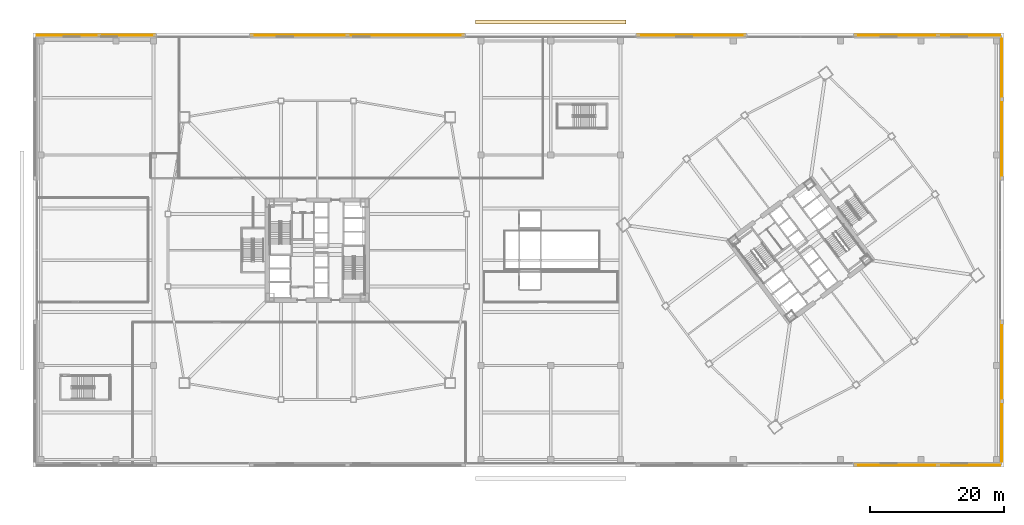
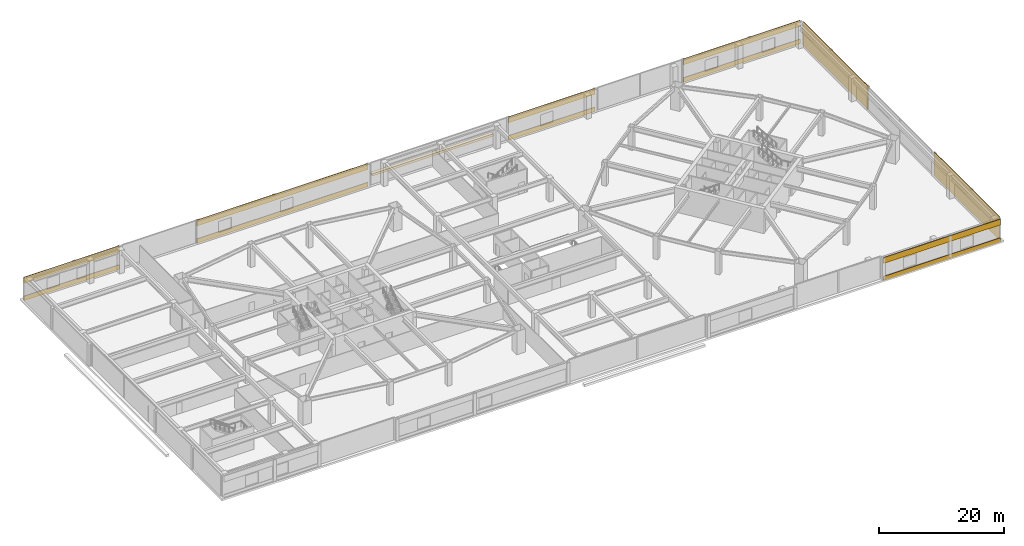
# One storey, part 44 of 44: 13 coverings.
"""IFC4 building model written with IfcOpenShell, lengths in metres."""

from ifc_helpers import new_model, si_unit, direction, frame, origin, origin_2d, place, context, subcontext, project, spatial, polyline, rectangle, outline, extrude, material, layer, layer_set, type_object, element, save


model = new_model("IFC4")

# Units and contexts
model_context = context("Model", 3, precision=1e-05, world=origin(), true_north=direction((0.0, 1.0)))
body_context = subcontext(model_context, "Body", "Model", "MODEL_VIEW")
ifc_project = project(units=[si_unit("LENGTHUNIT", "METRE"), si_unit("AREAUNIT", "SQUARE_METRE"), si_unit("VOLUMEUNIT", "CUBIC_METRE"), si_unit("PLANEANGLEUNIT", "RADIAN"), si_unit("MASSUNIT", "GRAM", prefix="KILO")], contexts=[model_context])

# Site, building, storey
site_placement = place(None, origin())
site = spatial("IfcSite", under=ifc_project, at=site_placement, CompositionType="ELEMENT")
building_placement = place(site_placement, origin())
building = spatial("IfcBuilding", under=site, at=building_placement, Name="Tashvorn Skyway Center", CompositionType="ELEMENT")
storey_placement = place(building_placement, frame((0.0, 0.0, 5.39990234375)))
storey = spatial("IfcBuildingStorey", under=building, at=storey_placement, Name="L01", CompositionType="ELEMENT", Elevation=5.39990234375)

# Coverings
ifc_material = material(Name="Precast concrete C40/50", Category="concrete")
ifc_layer = layer(ifc_material, 0.35009765625)
ifc_layer_set = layer_set([ifc_layer], Name="Precast concrete C40/50")
covering_type = type_object("IfcCoveringType", Name="COV-STONE-TRIM", PredefinedType="CLADDING", material=ifc_layer_set)
covering_1_placement = place(storey_placement, frame((9.0, 64.0400390625, 0.000244140625), z_axis=(0.0, 0.0, 1.0), x_axis=(1.0, 0.0, 0.0)))
element("IfcCovering", 1, at=covering_1_placement, inside=storey, type_object=covering_type, Name="L01 Limestone Sill Course N-W1", PredefinedType="CLADDING", context=body_context, shape_type="SweptSolid", body=[
    extrude(rectangle(XDim=17.60009765625, YDim=0.139892578125, at=origin_2d()), origin(), (0.0, 0.0, 1.0), 0.8798828125),
])
covering_2_placement = place(storey_placement, frame((9.0, 64.0400390625, 3.400390625), z_axis=(0.0, 0.0, 1.0), x_axis=(1.0, 0.0, 0.0)))
element("IfcCovering", 2, at=covering_2_placement, inside=storey, type_object=covering_type, Name="L01 Limestone Spandrel Course N-W1", PredefinedType="CLADDING", context=body_context, shape_type="SweptSolid", body=[
    extrude(rectangle(XDim=17.60009765625, YDim=0.139892578125, at=origin_2d()), origin(), (0.0, 0.0, 1.0), 1.139892578125),
])
covering_3_placement = place(storey_placement, frame((48.0, 64.0400390625, 0.000244140625), z_axis=(0.0, 0.0, 1.0), x_axis=(1.0, 0.0, 0.0)))
element("IfcCovering", 3, at=covering_3_placement, inside=storey, type_object=covering_type, Name="L01 Limestone Sill Course N-M1", PredefinedType="CLADDING", context=body_context, shape_type="SweptSolid", body=[
    extrude(rectangle(XDim=31.60009765625, YDim=0.139892578125, at=origin_2d()), origin(), (0.0, 0.0, 1.0), 0.8798828125),
])
covering_4_placement = place(storey_placement, frame((48.0, 64.0400390625, 3.400390625), z_axis=(0.0, 0.0, 1.0), x_axis=(1.0, 0.0, 0.0)))
element("IfcCovering", 4, at=covering_4_placement, inside=storey, type_object=covering_type, Name="L01 Limestone Spandrel Course N-M1", PredefinedType="CLADDING", context=body_context, shape_type="SweptSolid", body=[
    extrude(rectangle(XDim=31.60009765625, YDim=0.139892578125, at=origin_2d()), origin(), (0.0, 0.0, 1.0), 1.139892578125),
])
covering_5_placement = place(storey_placement, frame((97.800048828125, 64.0400390625, 0.000244140625), z_axis=(0.0, 0.0, 1.0), x_axis=(1.0, 0.0, 0.0)))
element("IfcCovering", 5, at=covering_5_placement, inside=storey, type_object=covering_type, Name="L01 Limestone Sill Course N-M2", PredefinedType="CLADDING", context=body_context, shape_type="SweptSolid", body=[
    extrude(rectangle(XDim=16.0, YDim=0.139892578125, at=origin_2d()), origin(), (0.0, 0.0, 1.0), 0.8798828125),
])
covering_6_placement = place(storey_placement, frame((97.800048828125, 64.0400390625, 3.400390625), z_axis=(0.0, 0.0, 1.0), x_axis=(1.0, 0.0, 0.0)))
element("IfcCovering", 6, at=covering_6_placement, inside=storey, type_object=covering_type, Name="L01 Limestone Spandrel Course N-M2", PredefinedType="CLADDING", context=body_context, shape_type="SweptSolid", body=[
    extrude(rectangle(XDim=16.0, YDim=0.139892578125, at=origin_2d()), origin(), (0.0, 0.0, 1.0), 1.139892578125),
])
covering_7_placement = place(storey_placement, frame((133.0, -0.0400390625, 0.000244140625), z_axis=(0.0, 0.0, 1.0), x_axis=(1.0, 0.0, 0.0)))
element("IfcCovering", 7, at=covering_7_placement, inside=storey, type_object=covering_type, Name="L01 Limestone Sill Course S-E1", PredefinedType="CLADDING", context=body_context, shape_type="SweptSolid", body=[
    extrude(rectangle(XDim=21.60009765625, YDim=0.139892578125, at=origin_2d()), origin(), (0.0, 0.0, 1.0), 0.8798828125),
])
covering_8_placement = place(storey_placement, frame((133.0, -0.0400390625, 3.400390625), z_axis=(0.0, 0.0, 1.0), x_axis=(1.0, 0.0, 0.0)))
element("IfcCovering", 8, at=covering_8_placement, inside=storey, type_object=covering_type, Name="L01 Limestone Spandrel Course S-E1", PredefinedType="CLADDING", context=body_context, shape_type="SweptSolid", body=[
    extrude(rectangle(XDim=21.60009765625, YDim=0.139892578125, at=origin_2d()), origin(), (0.0, 0.0, 1.0), 1.139892578125),
])
covering_9_placement = place(storey_placement, frame((133.0, 64.0400390625, 0.000244140625), z_axis=(0.0, 0.0, 1.0), x_axis=(1.0, 0.0, 0.0)))
element("IfcCovering", 9, at=covering_9_placement, inside=storey, type_object=covering_type, Name="L01 Limestone Sill Course N-E1", PredefinedType="CLADDING", context=body_context, shape_type="SweptSolid", body=[
    extrude(rectangle(XDim=21.60009765625, YDim=0.139892578125, at=origin_2d()), origin(), (0.0, 0.0, 1.0), 0.8798828125),
])
covering_10_placement = place(storey_placement, frame((133.0, 64.0400390625, 3.400390625), z_axis=(0.0, 0.0, 1.0), x_axis=(1.0, 0.0, 0.0)))
element("IfcCovering", 10, at=covering_10_placement, inside=storey, type_object=covering_type, Name="L01 Limestone Spandrel Course N-E1", PredefinedType="CLADDING", context=body_context, shape_type="SweptSolid", body=[
    extrude(rectangle(XDim=21.60009765625, YDim=0.139892578125, at=origin_2d()), origin(), (0.0, 0.0, 1.0), 1.139892578125),
])
for number, where, z_axis, x_axis, name in (
    (11, (144.0400390625, 10.949951171875, 0.0), (0.0, 0.0, 1.0), (1.0, 0.0, 0.0), "L01 Limestone Rusticated Pier E-S"),
    (12, (144.0400390625, 53.050048828125, 0.0), (0.0, 0.0, 1.0), (1.0, 0.0, 0.0), "L01 Limestone Rusticated Pier E-N"),
):
    element("IfcCovering", number, at=place(storey_placement, frame(where, z_axis=z_axis, x_axis=x_axis)), inside=storey, type_object=covering_type, Name=name, PredefinedType="CLADDING", context=body_context, shape_type="SweptSolid", body=[
        extrude(rectangle(XDim=0.139892578125, YDim=20.89990234375, at=origin_2d()), origin(), (0.0, 0.0, 1.0), 4.5400390625),
    ])
covering_11_placement = place(storey_placement, frame((0.0, 0.0, 0.400146484375)))
element("IfcCovering", 13, at=covering_11_placement, inside=storey, type_object=covering_type, Name="Station Marquee Canopy Terracotta Coping N", PredefinedType="CLADDING", context=body_context, shape_type="SweptSolid", body=[
    extrude(outline(polyline([(65.60009765625, 65.699951171875), (88.0, 65.699951171875), (88.0, 66.300048828125), (65.60009765625, 66.300048828125), (65.60009765625, 65.699951171875)])), origin(), (0.0, 0.0, 1.0), 0.449951171875),
])

save(model, "model.ifc")
